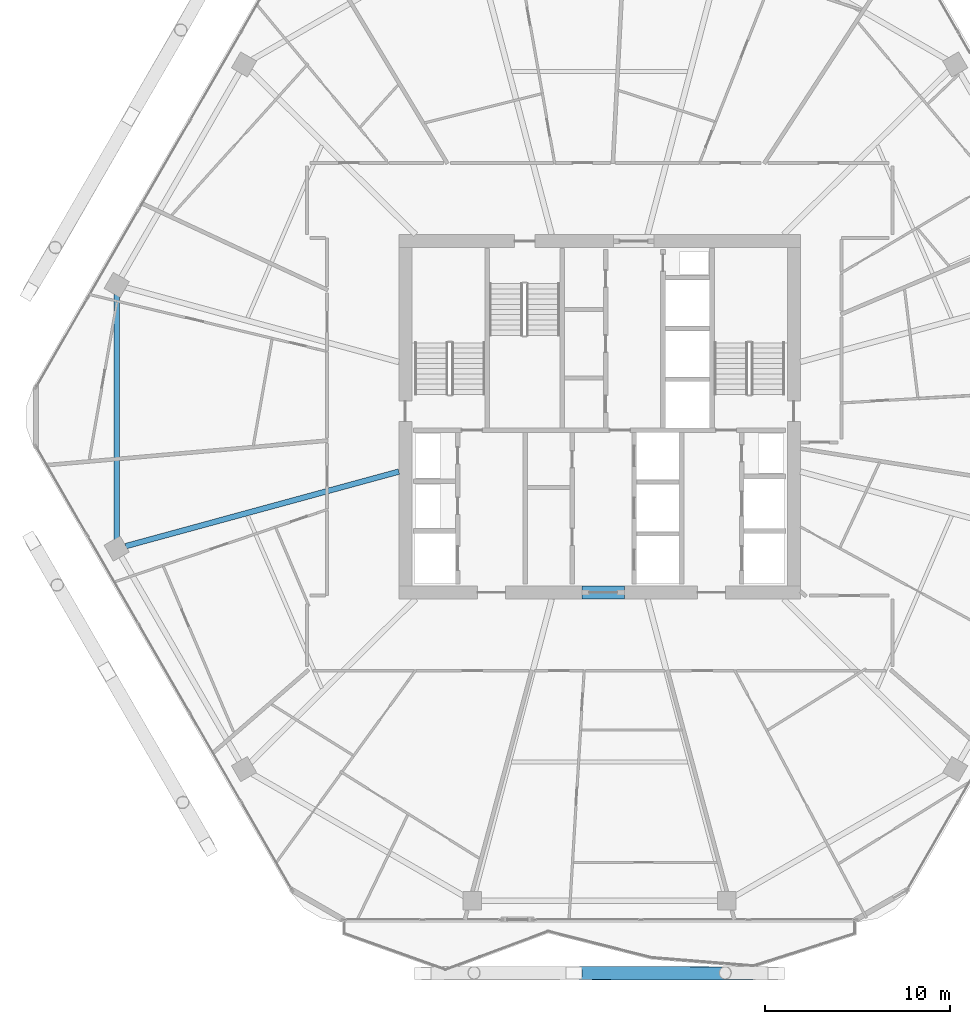
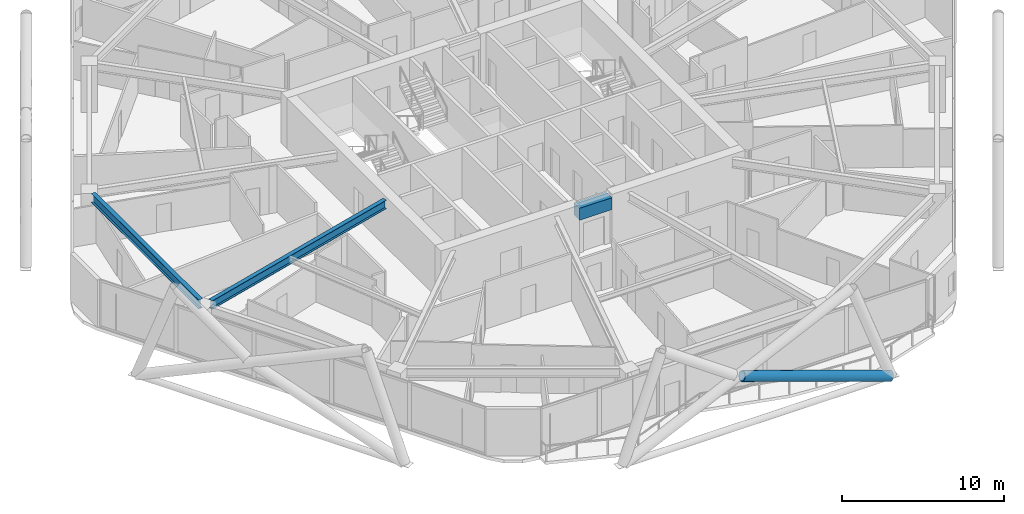
# One storey, part 6 of 29: 3 beams, 1 member.
"""IFC4 building model written with IfcOpenShell, lengths in metres."""

from ifc_helpers import new_model, si_unit, direction, frame, origin, origin_2d, place, context, subcontext, project, spatial, rectangle, hollow_circle, i_section, extrude, material, material_profile, profile_set, type_object, element, save


model = new_model("IFC4")

# Units and contexts
model_context = context("Model", 3, precision=1e-05, world=origin(), true_north=direction((0.0, 1.0)))
body_context = subcontext(model_context, "Body", "Model", "MODEL_VIEW")
ifc_project = project(units=[si_unit("LENGTHUNIT", "METRE"), si_unit("AREAUNIT", "SQUARE_METRE"), si_unit("VOLUMEUNIT", "CUBIC_METRE"), si_unit("PLANEANGLEUNIT", "RADIAN"), si_unit("MASSUNIT", "GRAM", prefix="KILO")], contexts=[model_context])

# Site, building, storey
site_placement = place(None, origin())
site = spatial("IfcSite", under=ifc_project, at=site_placement, CompositionType="ELEMENT")
building_placement = place(site_placement, origin())
building = spatial("IfcBuilding", under=site, at=building_placement, Name="Zuhravey Tower", CompositionType="ELEMENT")
storey_placement = place(building_placement, frame((0.0, 0.0, 161.800048828125)))
storey = spatial("IfcBuildingStorey", under=building, at=storey_placement, Name="L40", CompositionType="ELEMENT", Elevation=161.800048828125)

# Beam
ifc_material_1 = material(Name="Concrete C60/75", Category="concrete")
ifc_material_profile_1 = material_profile(ifc_material_1, rectangle(XDim=0.699951171875, YDim=0.89990234375, at=origin_2d()), Name="RC-700x900")
ifc_profile_set_1 = profile_set([ifc_material_profile_1], Name="Concrete C60/75")
beam_type_1 = type_object("IfcBeamType", Name="Core Coupling Beam RC700x900", PredefinedType="LINTEL", material=ifc_profile_set_1)
beam_1_placement = place(storey_placement, frame((35.052001953125, 22.5, 3.099853515625), z_axis=(1.0, 0.0, 0.0), x_axis=(0.0, 1.0, 0.0)))
element("IfcBeam", 1, at=beam_1_placement, inside=storey, type_object=beam_type_1, Name="L40 CB1 BM-L40-CB-S", PredefinedType="LINTEL", context=body_context, shape_type="SweptSolid", body=[
    extrude(rectangle(XDim=0.699951171875, YDim=0.89990234375, at=origin_2d()), origin(), (0.0, 0.0, 1.0), 2.2958984375),
])

# Member
ifc_material_2 = material(Name="Steel SM460", Category="steel")
ifc_material_profile_2 = material_profile(ifc_material_2, hollow_circle(Radius=0.355712890625, WallThickness=0.031982421875, at=origin_2d()), Name="CHS-711.2x32")
ifc_profile_set_2 = profile_set([ifc_material_profile_2], Name="Steel SM460")
member_type = type_object("IfcMemberType", Name="Exoskeleton Zone 2 Diagrid CHS711x32", PredefinedType="BRACE", material=ifc_profile_set_2)
member_placement = place(storey_placement, frame((45.51025390625, 1.906982421875, -0.448486328125), z_axis=(-0.944652786262, 0.001287230689, 0.328069286042), x_axis=(-0.00136264828, -0.999999071594, 0.0)))
element("IfcMember", 2, at=member_placement, inside=storey, type_object=member_type, Name="L40 Face 5 Split Diagrid Brace 3A", PredefinedType="BRACE", context=body_context, shape_type="SweptSolid", body=[
    extrude(hollow_circle(Radius=0.355712890625, WallThickness=0.031982421875, at=origin_2d()), origin(), (0.0, 0.0, 1.0), 11.190185546875),
])

# Beams
ifc_material_3 = material(Name="Steel SM355", Category="steel")
ifc_material_profile_3 = material_profile(ifc_material_3, i_section(OverallWidth=0.300048828125, OverallDepth=0.679931640625, WebThickness=0.012939453125, FlangeThickness=0.02197265625, at=origin_2d()), Name="H-680x300x13x22")
ifc_profile_set_3 = profile_set([ifc_material_profile_3], Name="Steel SM355")
beam_type_2 = type_object("IfcBeamType", Name="Perimeter Ring Beam H680x300", PredefinedType="BEAM", material=ifc_profile_set_3)
beam_2_placement = place(storey_placement, frame((9.892333984375, 38.62353515625, 3.2099609375), z_axis=(0.0, -1.0, 0.0), x_axis=(1.0, 0.0, 0.0)))
element("IfcBeam", 3, at=beam_2_placement, inside=storey, type_object=beam_type_2, Name="L40 PB2 BM-L40-PB-06", PredefinedType="BEAM", context=body_context, shape_type="SweptSolid", body=[
    extrude(i_section(OverallWidth=0.300048828125, OverallDepth=0.679931640625, WebThickness=0.012939453125, FlangeThickness=0.02197265625, at=origin_2d()), origin(), (0.0, 0.0, 1.0), 13.2470703125),
])
ifc_material_profile_4 = material_profile(ifc_material_3, i_section(OverallWidth=0.300048828125, OverallDepth=0.64990234375, WebThickness=0.012939453125, FlangeThickness=0.02197265625, at=origin_2d()), Name="H-650x300x13x22")
ifc_profile_set_4 = profile_set([ifc_material_profile_4], Name="Steel SM355")
beam_type_3 = type_object("IfcBeamType", Name="Radial Primary Girder H650x300", PredefinedType="BEAM", material=ifc_profile_set_4)
beam_3_placement = place(storey_placement, frame((25.14697265625, 29.03759765625, 3.224853515625), z_axis=(-0.964701601771, -0.263345437667, 0.0), x_axis=(0.263345437667, -0.964701601771, 0.0)))
element("IfcBeam", 4, at=beam_3_placement, inside=storey, type_object=beam_type_3, Name="L40 RG2 BM-L40-RAD-07", PredefinedType="BEAM", context=body_context, shape_type="SweptSolid", body=[
    extrude(i_section(OverallWidth=0.300048828125, OverallDepth=0.64990234375, WebThickness=0.012939453125, FlangeThickness=0.02197265625, at=origin_2d()), origin(), (0.0, 0.0, 1.0), 15.309814453125),
])

save(model, "model.ifc")
